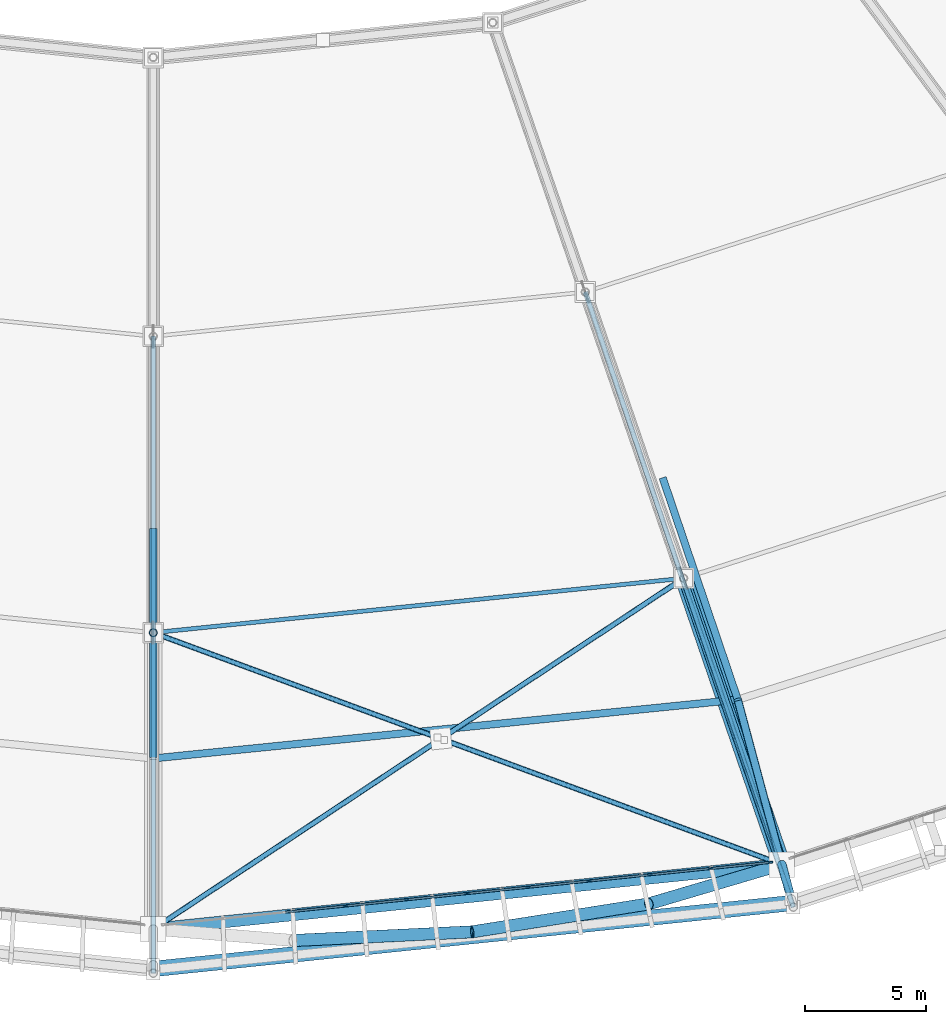
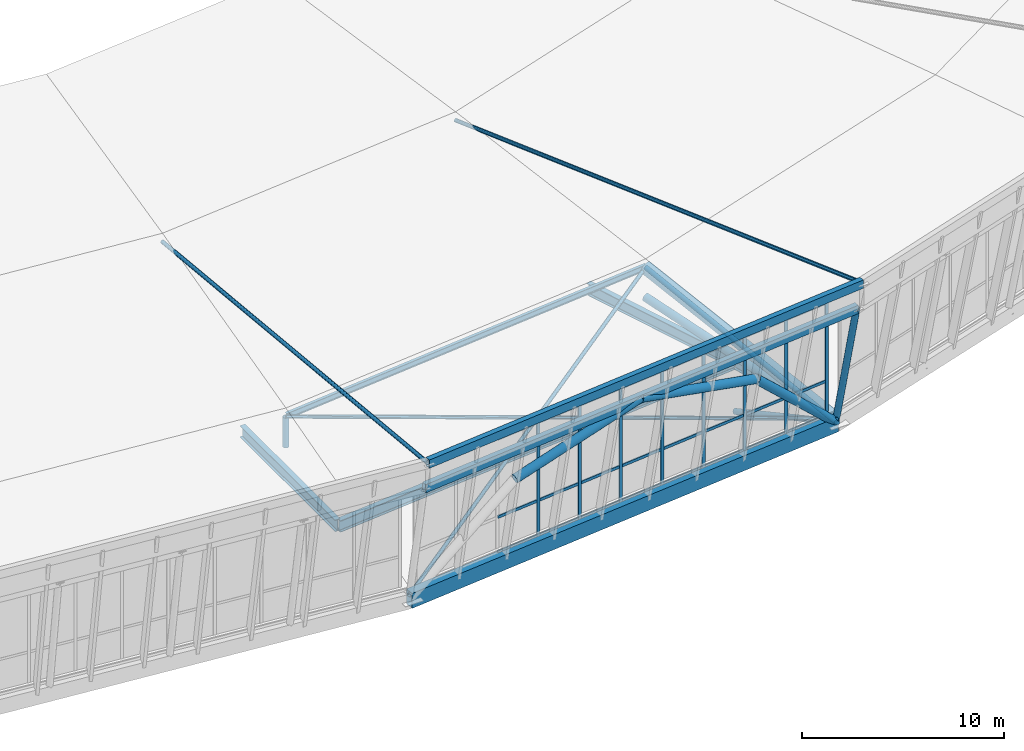
# One storey, part 17 of 115: 47 members, 7 beams, 1 element without a shape of its own.
"""IFC4 building model written with IfcOpenShell, lengths in metres."""

from ifc_helpers import new_model, si_unit, direction, frame, origin, origin_2d, place, context, subcontext, project, spatial, rectangle, hollow_rectangle, hollow_circle, i_section, extrude, material, material_profile, profile_set, type_object, element, aggregate, save


model = new_model("IFC4")

# Units and contexts
model_context = context("Model", 3, precision=1e-05, world=origin(), true_north=direction((0.0, 1.0)))
body_context = subcontext(model_context, "Body", "Model", "MODEL_VIEW")
ifc_project = project(units=[si_unit("LENGTHUNIT", "METRE"), si_unit("AREAUNIT", "SQUARE_METRE"), si_unit("VOLUMEUNIT", "CUBIC_METRE"), si_unit("PLANEANGLEUNIT", "RADIAN"), si_unit("MASSUNIT", "GRAM", prefix="KILO")], contexts=[model_context])

# Site, building, storey
site_placement = place(None, origin())
site = spatial("IfcSite", under=ifc_project, at=site_placement, CompositionType="ELEMENT")
building_placement = place(site_placement, origin())
building = spatial("IfcBuilding", under=site, at=building_placement, Name="Zlatoyarsky Gate Stadium", CompositionType="ELEMENT")
storey_placement = place(building_placement, frame((0.0, 0.0, 31.800048828125)))
storey = spatial("IfcBuildingStorey", under=building, at=storey_placement, Name="RF", CompositionType="ELEMENT", Elevation=31.800048828125)

# Curtain wall, members
ifc_material_1 = material(Name="Thermally broken anodised aluminium curtain wall", Category="aluminium")
curtain_wall_type = type_object("IfcCurtainWallType", Name="MONUMENTAL ARCHED GATE GLAZING UPPER", PredefinedType="USERDEFINED", material=ifc_material_1)
curtain_wall_placement = place(storey_placement, origin())
curtain_wall = element("IfcCurtainWall", 1, at=curtain_wall_placement, inside=storey, type_object=curtain_wall_type, Name="Curtain wall CW-RF-18", ObjectType="ARCHED GATE GLAZING", PredefinedType="USERDEFINED")
ifc_material_2 = material(Name="Anodised aluminium 6063-T6", Category="aluminium")
ifc_material_profile_1 = material_profile(ifc_material_2, rectangle(XDim=0.074951171875, YDim=0.18994140625, at=origin_2d()), Name="ALU 75X190")
ifc_profile_set_1 = profile_set([ifc_material_profile_1], Name="Anodised aluminium 6063-T6")
member_type_1 = type_object("IfcMemberType", Name="ALUMINIUM GATE MULLION 75X190", PredefinedType="MULLION", material=ifc_profile_set_1)
member_1_placement = place(storey_placement, frame((118.9150390625, 2.9248046875, 0.0), z_axis=(0.0, 0.0, 1.0), x_axis=(-0.102125168703, 0.994771556649, 0.0)))
member_1 = element("IfcMember", 2, at=member_1_placement, type_object=member_type_1, Name="CW-AG2 mullion 4", PredefinedType="MULLION", context=body_context, shape_type="SweptSolid", body=[
    extrude(rectangle(XDim=0.074951171875, YDim=0.18994140625, at=origin_2d()), origin(), (0.0, 0.0, 1.0), 6.89990234375),
])
member_2_placement = place(storey_placement, frame((121.420654296875, 3.18212890625, 0.0), z_axis=(0.0, 0.0, 1.0), x_axis=(-0.102125168703, 0.994771556649, 0.0)))
member_2 = element("IfcMember", 3, at=member_2_placement, type_object=member_type_1, Name="CW-AG2 mullion 5", PredefinedType="MULLION", context=body_context, shape_type="SweptSolid", body=[
    extrude(rectangle(XDim=0.074951171875, YDim=0.18994140625, at=origin_2d()), origin(), (0.0, 0.0, 1.0), 6.89990234375),
])
member_3_placement = place(storey_placement, frame((123.926513671875, 3.439453125, 0.0), z_axis=(0.0, 0.0, 1.0), x_axis=(-0.102125168703, 0.994771556649, 0.0)))
member_3 = element("IfcMember", 4, at=member_3_placement, type_object=member_type_1, Name="CW-AG2 mullion 6", PredefinedType="MULLION", context=body_context, shape_type="SweptSolid", body=[
    extrude(rectangle(XDim=0.074951171875, YDim=0.18994140625, at=origin_2d()), origin(), (0.0, 0.0, 1.0), 6.89990234375),
])
member_4_placement = place(storey_placement, frame((126.43212890625, 3.696533203125, 0.0), z_axis=(0.0, 0.0, 1.0), x_axis=(-0.102125168703, 0.994771556649, 0.0)))
member_4 = element("IfcMember", 5, at=member_4_placement, type_object=member_type_1, Name="CW-AG2 mullion 7", PredefinedType="MULLION", context=body_context, shape_type="SweptSolid", body=[
    extrude(rectangle(XDim=0.074951171875, YDim=0.18994140625, at=origin_2d()), origin(), (0.0, 0.0, 1.0), 6.89990234375),
])
member_5_placement = place(storey_placement, frame((128.937744140625, 3.953857421875, 0.0), z_axis=(0.0, 0.0, 1.0), x_axis=(-0.102125168703, 0.994771556649, 0.0)))
member_5 = element("IfcMember", 6, at=member_5_placement, type_object=member_type_1, Name="CW-AG2 mullion 8", PredefinedType="MULLION", context=body_context, shape_type="SweptSolid", body=[
    extrude(rectangle(XDim=0.074951171875, YDim=0.18994140625, at=origin_2d()), origin(), (0.0, 0.0, 1.0), 6.89990234375),
])
member_6_placement = place(storey_placement, frame((131.443603515625, 4.211181640625, 0.0), z_axis=(0.0, 0.0, 1.0), x_axis=(-0.102125168703, 0.994771556649, 0.0)))
member_6 = element("IfcMember", 7, at=member_6_placement, type_object=member_type_1, Name="CW-AG2 mullion 9", PredefinedType="MULLION", context=body_context, shape_type="SweptSolid", body=[
    extrude(rectangle(XDim=0.074951171875, YDim=0.18994140625, at=origin_2d()), origin(), (0.0, 0.0, 1.0), 6.89990234375),
])
member_7_placement = place(storey_placement, frame((133.94921875, 4.46826171875, 0.0), z_axis=(0.0, 0.0, 1.0), x_axis=(-0.102125168703, 0.994771556649, 0.0)))
member_7 = element("IfcMember", 8, at=member_7_placement, type_object=member_type_1, Name="CW-AG2 mullion 10", PredefinedType="MULLION", context=body_context, shape_type="SweptSolid", body=[
    extrude(rectangle(XDim=0.074951171875, YDim=0.18994140625, at=origin_2d()), origin(), (0.0, 0.0, 1.0), 6.89990234375),
])
member_8_placement = place(storey_placement, frame((136.41748046875, 4.7216796875, 0.0), z_axis=(0.0, 0.0, 1.0), x_axis=(-0.102125168703, 0.994771556649, 0.0)))
member_8 = element("IfcMember", 9, at=member_8_placement, type_object=member_type_1, Name="CW-AG2 mullion 11", PredefinedType="MULLION", context=body_context, shape_type="SweptSolid", body=[
    extrude(rectangle(XDim=0.074951171875, YDim=0.18994140625, at=origin_2d()), origin(), (0.0, 0.0, 1.0), 6.89990234375),
])
ifc_material_profile_2 = material_profile(ifc_material_2, rectangle(XDim=0.074951171875, YDim=0.169921875, at=origin_2d()), Name="ALU 75X170")
ifc_profile_set_2 = profile_set([ifc_material_profile_2], Name="Anodised aluminium 6063-T6")
member_type_2 = type_object("IfcMemberType", Name="ALUMINIUM GATE TRANSOM 75X170", PredefinedType="USERDEFINED", material=ifc_profile_set_2)
member_9_placement = place(storey_placement, frame((116.446533203125, 2.671630859375, 0.037353515625), z_axis=(0.994774676967, 0.10209477002, 0.0), x_axis=(-0.10209477002, 0.994774676967, 0.0)))
member_9 = element("IfcMember", 10, at=member_9_placement, type_object=member_type_2, Name="CW-AG2 transom 3.1", ObjectType="TRANSOM", PredefinedType="USERDEFINED", context=body_context, shape_type="SweptSolid", body=[
    extrude(rectangle(XDim=0.074951171875, YDim=0.169921875, at=origin_2d()), origin(), (0.0, 0.0, 1.0), 2.44384765625),
])
member_10_placement = place(storey_placement, frame((116.446533203125, 2.671630859375, 2.14990234375), z_axis=(0.994774676967, 0.10209477002, 0.0), x_axis=(-0.10209477002, 0.994774676967, 0.0)))
member_10 = element("IfcMember", 11, at=member_10_placement, type_object=member_type_2, Name="CW-AG2 transom 3.2", ObjectType="TRANSOM", PredefinedType="USERDEFINED", context=body_context, shape_type="SweptSolid", body=[
    extrude(rectangle(XDim=0.074951171875, YDim=0.169921875, at=origin_2d()), origin(), (0.0, 0.0, 1.0), 2.44384765625),
])
member_11_placement = place(storey_placement, frame((116.446533203125, 2.671630859375, 6.862548828125), z_axis=(0.994774676967, 0.10209477002, 0.0), x_axis=(-0.10209477002, 0.994774676967, 0.0)))
member_11 = element("IfcMember", 12, at=member_11_placement, type_object=member_type_2, Name="CW-AG2 transom 3.3", ObjectType="TRANSOM", PredefinedType="USERDEFINED", context=body_context, shape_type="SweptSolid", body=[
    extrude(rectangle(XDim=0.074951171875, YDim=0.169921875, at=origin_2d()), origin(), (0.0, 0.0, 1.0), 2.44384765625),
])
member_12_placement = place(storey_placement, frame((118.952392578125, 2.9287109375, 0.037353515625), z_axis=(0.994773635551, 0.102104916695, 0.0), x_axis=(-0.102104916695, 0.994773635551, 0.0)))
member_12 = element("IfcMember", 13, at=member_12_placement, type_object=member_type_2, Name="CW-AG2 transom 4.1", ObjectType="TRANSOM", PredefinedType="USERDEFINED", context=body_context, shape_type="SweptSolid", body=[
    extrude(rectangle(XDim=0.074951171875, YDim=0.169921875, at=origin_2d()), origin(), (0.0, 0.0, 1.0), 2.443603515625),
])
member_13_placement = place(storey_placement, frame((118.952392578125, 2.9287109375, 2.14990234375), z_axis=(0.994773635551, 0.102104916695, 0.0), x_axis=(-0.102104916695, 0.994773635551, 0.0)))
member_13 = element("IfcMember", 14, at=member_13_placement, type_object=member_type_2, Name="CW-AG2 transom 4.2", ObjectType="TRANSOM", PredefinedType="USERDEFINED", context=body_context, shape_type="SweptSolid", body=[
    extrude(rectangle(XDim=0.074951171875, YDim=0.169921875, at=origin_2d()), origin(), (0.0, 0.0, 1.0), 2.443603515625),
])
member_14_placement = place(storey_placement, frame((118.952392578125, 2.9287109375, 6.862548828125), z_axis=(0.994773635551, 0.102104916695, 0.0), x_axis=(-0.102104916695, 0.994773635551, 0.0)))
member_14 = element("IfcMember", 15, at=member_14_placement, type_object=member_type_2, Name="CW-AG2 transom 4.3", ObjectType="TRANSOM", PredefinedType="USERDEFINED", context=body_context, shape_type="SweptSolid", body=[
    extrude(rectangle(XDim=0.074951171875, YDim=0.169921875, at=origin_2d()), origin(), (0.0, 0.0, 1.0), 2.443603515625),
])
member_15_placement = place(storey_placement, frame((121.4580078125, 3.18603515625, 0.037353515625), z_axis=(0.994774676967, 0.10209477002, 0.0), x_axis=(-0.10209477002, 0.994774676967, 0.0)))
member_15 = element("IfcMember", 16, at=member_15_placement, type_object=member_type_2, Name="CW-AG2 transom 5.1", ObjectType="TRANSOM", PredefinedType="USERDEFINED", context=body_context, shape_type="SweptSolid", body=[
    extrude(rectangle(XDim=0.074951171875, YDim=0.169921875, at=origin_2d()), origin(), (0.0, 0.0, 1.0), 2.44384765625),
])
member_16_placement = place(storey_placement, frame((121.4580078125, 3.18603515625, 2.14990234375), z_axis=(0.994774676967, 0.10209477002, 0.0), x_axis=(-0.10209477002, 0.994774676967, 0.0)))
member_16 = element("IfcMember", 17, at=member_16_placement, type_object=member_type_2, Name="CW-AG2 transom 5.2", ObjectType="TRANSOM", PredefinedType="USERDEFINED", context=body_context, shape_type="SweptSolid", body=[
    extrude(rectangle(XDim=0.074951171875, YDim=0.169921875, at=origin_2d()), origin(), (0.0, 0.0, 1.0), 2.44384765625),
])
member_17_placement = place(storey_placement, frame((121.4580078125, 3.18603515625, 6.862548828125), z_axis=(0.994774676967, 0.10209477002, 0.0), x_axis=(-0.10209477002, 0.994774676967, 0.0)))
member_17 = element("IfcMember", 18, at=member_17_placement, type_object=member_type_2, Name="CW-AG2 transom 5.3", ObjectType="TRANSOM", PredefinedType="USERDEFINED", context=body_context, shape_type="SweptSolid", body=[
    extrude(rectangle(XDim=0.074951171875, YDim=0.169921875, at=origin_2d()), origin(), (0.0, 0.0, 1.0), 2.44384765625),
])
member_18_placement = place(storey_placement, frame((123.963623046875, 3.443115234375, 0.037353515625), z_axis=(0.994764526487, 0.102193624282, 0.0), x_axis=(-0.102193624282, 0.994764526487, 0.0)))
member_18 = element("IfcMember", 19, at=member_18_placement, type_object=member_type_2, Name="CW-AG2 transom 6.1", ObjectType="TRANSOM", PredefinedType="USERDEFINED", context=body_context, shape_type="SweptSolid", body=[
    extrude(rectangle(XDim=0.074951171875, YDim=0.169921875, at=origin_2d()), origin(), (0.0, 0.0, 1.0), 2.44384765625),
])
member_19_placement = place(storey_placement, frame((123.963623046875, 3.443115234375, 2.14990234375), z_axis=(0.994764526487, 0.102193624282, 0.0), x_axis=(-0.102193624282, 0.994764526487, 0.0)))
member_19 = element("IfcMember", 20, at=member_19_placement, type_object=member_type_2, Name="CW-AG2 transom 6.2", ObjectType="TRANSOM", PredefinedType="USERDEFINED", context=body_context, shape_type="SweptSolid", body=[
    extrude(rectangle(XDim=0.074951171875, YDim=0.169921875, at=origin_2d()), origin(), (0.0, 0.0, 1.0), 2.44384765625),
])
member_20_placement = place(storey_placement, frame((123.963623046875, 3.443115234375, 6.862548828125), z_axis=(0.994764526487, 0.102193624282, 0.0), x_axis=(-0.102193624282, 0.994764526487, 0.0)))
member_20 = element("IfcMember", 21, at=member_20_placement, type_object=member_type_2, Name="CW-AG2 transom 6.3", ObjectType="TRANSOM", PredefinedType="USERDEFINED", context=body_context, shape_type="SweptSolid", body=[
    extrude(rectangle(XDim=0.074951171875, YDim=0.169921875, at=origin_2d()), origin(), (0.0, 0.0, 1.0), 2.44384765625),
])
member_21_placement = place(storey_placement, frame((126.469482421875, 3.700439453125, 0.037353515625), z_axis=(0.994773635551, 0.102104916695, 0.0), x_axis=(-0.102104916695, 0.994773635551, 0.0)))
member_21 = element("IfcMember", 22, at=member_21_placement, type_object=member_type_2, Name="CW-AG2 transom 7.1", ObjectType="TRANSOM", PredefinedType="USERDEFINED", context=body_context, shape_type="SweptSolid", body=[
    extrude(rectangle(XDim=0.074951171875, YDim=0.169921875, at=origin_2d()), origin(), (0.0, 0.0, 1.0), 2.443603515625),
])
member_22_placement = place(storey_placement, frame((126.469482421875, 3.700439453125, 2.14990234375), z_axis=(0.994773635551, 0.102104916695, 0.0), x_axis=(-0.102104916695, 0.994773635551, 0.0)))
member_22 = element("IfcMember", 23, at=member_22_placement, type_object=member_type_2, Name="CW-AG2 transom 7.2", ObjectType="TRANSOM", PredefinedType="USERDEFINED", context=body_context, shape_type="SweptSolid", body=[
    extrude(rectangle(XDim=0.074951171875, YDim=0.169921875, at=origin_2d()), origin(), (0.0, 0.0, 1.0), 2.443603515625),
])
member_23_placement = place(storey_placement, frame((126.469482421875, 3.700439453125, 6.862548828125), z_axis=(0.994773635551, 0.102104916695, 0.0), x_axis=(-0.102104916695, 0.994773635551, 0.0)))
member_23 = element("IfcMember", 24, at=member_23_placement, type_object=member_type_2, Name="CW-AG2 transom 7.3", ObjectType="TRANSOM", PredefinedType="USERDEFINED", context=body_context, shape_type="SweptSolid", body=[
    extrude(rectangle(XDim=0.074951171875, YDim=0.169921875, at=origin_2d()), origin(), (0.0, 0.0, 1.0), 2.443603515625),
])
member_24_placement = place(storey_placement, frame((128.97509765625, 3.957763671875, 0.037353515625), z_axis=(0.994774676967, 0.10209477002, 0.0), x_axis=(-0.10209477002, 0.994774676967, 0.0)))
member_24 = element("IfcMember", 25, at=member_24_placement, type_object=member_type_2, Name="CW-AG2 transom 8.1", ObjectType="TRANSOM", PredefinedType="USERDEFINED", context=body_context, shape_type="SweptSolid", body=[
    extrude(rectangle(XDim=0.074951171875, YDim=0.169921875, at=origin_2d()), origin(), (0.0, 0.0, 1.0), 2.44384765625),
])
member_25_placement = place(storey_placement, frame((128.97509765625, 3.957763671875, 2.14990234375), z_axis=(0.994774676967, 0.10209477002, 0.0), x_axis=(-0.10209477002, 0.994774676967, 0.0)))
member_25 = element("IfcMember", 26, at=member_25_placement, type_object=member_type_2, Name="CW-AG2 transom 8.2", ObjectType="TRANSOM", PredefinedType="USERDEFINED", context=body_context, shape_type="SweptSolid", body=[
    extrude(rectangle(XDim=0.074951171875, YDim=0.169921875, at=origin_2d()), origin(), (0.0, 0.0, 1.0), 2.44384765625),
])
member_26_placement = place(storey_placement, frame((128.97509765625, 3.957763671875, 6.862548828125), z_axis=(0.994774676967, 0.10209477002, 0.0), x_axis=(-0.10209477002, 0.994774676967, 0.0)))
member_26 = element("IfcMember", 27, at=member_26_placement, type_object=member_type_2, Name="CW-AG2 transom 8.3", ObjectType="TRANSOM", PredefinedType="USERDEFINED", context=body_context, shape_type="SweptSolid", body=[
    extrude(rectangle(XDim=0.074951171875, YDim=0.169921875, at=origin_2d()), origin(), (0.0, 0.0, 1.0), 2.44384765625),
])
member_27_placement = place(storey_placement, frame((131.480712890625, 4.21484375, 0.037353515625), z_axis=(0.994764526487, 0.102193624282, 0.0), x_axis=(-0.102193624282, 0.994764526487, 0.0)))
member_27 = element("IfcMember", 28, at=member_27_placement, type_object=member_type_2, Name="CW-AG2 transom 9.1", ObjectType="TRANSOM", PredefinedType="USERDEFINED", context=body_context, shape_type="SweptSolid", body=[
    extrude(rectangle(XDim=0.074951171875, YDim=0.169921875, at=origin_2d()), origin(), (0.0, 0.0, 1.0), 2.44384765625),
])
member_28_placement = place(storey_placement, frame((131.480712890625, 4.21484375, 2.14990234375), z_axis=(0.994764526487, 0.102193624282, 0.0), x_axis=(-0.102193624282, 0.994764526487, 0.0)))
member_28 = element("IfcMember", 29, at=member_28_placement, type_object=member_type_2, Name="CW-AG2 transom 9.2", ObjectType="TRANSOM", PredefinedType="USERDEFINED", context=body_context, shape_type="SweptSolid", body=[
    extrude(rectangle(XDim=0.074951171875, YDim=0.169921875, at=origin_2d()), origin(), (0.0, 0.0, 1.0), 2.44384765625),
])
member_29_placement = place(storey_placement, frame((131.480712890625, 4.21484375, 6.862548828125), z_axis=(0.994764526487, 0.102193624282, 0.0), x_axis=(-0.102193624282, 0.994764526487, 0.0)))
member_29 = element("IfcMember", 30, at=member_29_placement, type_object=member_type_2, Name="CW-AG2 transom 9.3", ObjectType="TRANSOM", PredefinedType="USERDEFINED", context=body_context, shape_type="SweptSolid", body=[
    extrude(rectangle(XDim=0.074951171875, YDim=0.169921875, at=origin_2d()), origin(), (0.0, 0.0, 1.0), 2.44384765625),
])
member_30_placement = place(storey_placement, frame((133.986572265625, 4.47216796875, 0.037353515625), z_axis=(0.994767435445, 0.102165304181, 0.0), x_axis=(-0.102165304181, 0.994767435445, 0.0)))
member_30 = element("IfcMember", 31, at=member_30_placement, type_object=member_type_2, Name="CW-AG2 transom 10.1", ObjectType="TRANSOM", PredefinedType="USERDEFINED", context=body_context, shape_type="SweptSolid", body=[
    extrude(rectangle(XDim=0.074951171875, YDim=0.169921875, at=origin_2d()), origin(), (0.0, 0.0, 1.0), 2.406494140625),
])
member_31_placement = place(storey_placement, frame((133.986572265625, 4.47216796875, 2.14990234375), z_axis=(0.994767435445, 0.102165304181, 0.0), x_axis=(-0.102165304181, 0.994767435445, 0.0)))
member_31 = element("IfcMember", 32, at=member_31_placement, type_object=member_type_2, Name="CW-AG2 transom 10.2", ObjectType="TRANSOM", PredefinedType="USERDEFINED", context=body_context, shape_type="SweptSolid", body=[
    extrude(rectangle(XDim=0.074951171875, YDim=0.169921875, at=origin_2d()), origin(), (0.0, 0.0, 1.0), 2.406494140625),
])
member_32_placement = place(storey_placement, frame((133.986572265625, 4.47216796875, 6.862548828125), z_axis=(0.994767435445, 0.102165304181, 0.0), x_axis=(-0.102165304181, 0.994767435445, 0.0)))
member_32 = element("IfcMember", 33, at=member_32_placement, type_object=member_type_2, Name="CW-AG2 transom 10.3", ObjectType="TRANSOM", PredefinedType="USERDEFINED", context=body_context, shape_type="SweptSolid", body=[
    extrude(rectangle(XDim=0.074951171875, YDim=0.169921875, at=origin_2d()), origin(), (0.0, 0.0, 1.0), 2.406494140625),
])
aggregate(curtain_wall, [member_1, member_2, member_3, member_4, member_5, member_6, member_7, member_8, member_9, member_10, member_11, member_12, member_13, member_14, member_15, member_16, member_17, member_18, member_19, member_20, member_21, member_22, member_23, member_24, member_25, member_26, member_27, member_28, member_29, member_30, member_31, member_32])

# Members
ifc_material_3 = material(Name="Steel S355", Category="steel")
ifc_material_profile_3 = material_profile(ifc_material_3, hollow_circle(Radius=0.228515625, WallThickness=0.02490234375, at=origin_2d()), Name="CHS 457X25")
ifc_profile_set_3 = profile_set([ifc_material_profile_3], Name="Steel S355")
member_type_3 = type_object("IfcMemberType", Name="STEEL ARCH BOTTOM CHORD CHS 457X25", PredefinedType="CHORD", material=ifc_profile_set_3)
member_33_placement = place(storey_placement, frame((136.88916015625, 4.631103515625, -0.449951171875), z_axis=(-0.321535505122, 0.936049276956, 0.142921901945), x_axis=(-0.945758462386, -0.324870637063, 0.0)))
element("IfcMember", 34, at=member_33_placement, inside=storey, type_object=member_type_3, Name="Radial truss R20 bottom chord 1", PredefinedType="CHORD", context=body_context, shape_type="SweptSolid", body=[
    extrude(hollow_circle(Radius=0.228515625, WallThickness=0.02490234375, at=origin_2d()), origin(), (0.0, 0.0, 1.0), 12.593017578125),
])
ifc_material_profile_4 = material_profile(ifc_material_3, hollow_circle(Radius=0.25390625, WallThickness=0.02490234375, at=origin_2d()), Name="CHS 508X25")
ifc_profile_set_4 = profile_set([ifc_material_profile_4], Name="Steel S355")
member_type_4 = type_object("IfcMemberType", Name="STEEL ARCH TOP CHORD CHS 508X25", PredefinedType="CHORD", material=ifc_profile_set_4)
member_34_placement = place(storey_placement, frame((116.756103515625, 1.503173828125, 5.050048828125), z_axis=(0.960775747439, 0.046318915493, 0.273431017263), x_axis=(-0.048153986141, 0.998839923921, 0.0)))
element("IfcMember", 35, at=member_34_placement, inside=storey, type_object=member_type_4, Name="Monumental gate portal arch chord 18-2", PredefinedType="CHORD", context=body_context, shape_type="SweptSolid", body=[
    extrude(hollow_circle(Radius=0.25390625, WallThickness=0.02490234375, at=origin_2d()), origin(), (0.0, 0.0, 1.0), 7.6796875),
])
member_35_placement = place(storey_placement, frame((124.134521484375, 1.85888671875, 7.14990234375), z_axis=(0.949803462752, 0.150606590965, -0.274209841002), x_axis=(-0.156609449553, 0.987660609881, 0.0)))
element("IfcMember", 36, at=member_35_placement, inside=storey, type_object=member_type_4, Name="Monumental gate portal arch chord 18-3", PredefinedType="CHORD", context=body_context, shape_type="SweptSolid", body=[
    extrude(hollow_circle(Radius=0.25390625, WallThickness=0.02490234375, at=origin_2d()), origin(), (0.0, 0.0, 1.0), 7.65771484375),
])
member_36_placement = place(storey_placement, frame((131.407958984375, 3.01220703125, 5.050048828125), z_axis=(0.69102002414, 0.204104845437, -0.693420895493), x_axis=(-0.283269347472, 0.959040393718, 0.0)))
element("IfcMember", 37, at=member_36_placement, inside=storey, type_object=member_type_4, Name="Monumental gate portal arch chord 18-4", PredefinedType="CHORD", context=body_context, shape_type="SweptSolid", body=[
    extrude(hollow_circle(Radius=0.25390625, WallThickness=0.02490234375, at=origin_2d()), origin(), (0.0, 0.0, 1.0), 7.931640625),
])
ifc_material_profile_5 = material_profile(ifc_material_3, hollow_circle(Radius=0.35546875, WallThickness=0.031982421875, at=origin_2d()), Name="CHS 711X32")
ifc_profile_set_5 = profile_set([ifc_material_profile_5], Name="Steel S355")
member_type_5 = type_object("IfcMemberType", Name="STEEL ARCH TOP CHORD CHS 711X32", PredefinedType="CHORD", material=ifc_profile_set_5)
member_37_placement = place(storey_placement, frame((136.88916015625, 4.631103515625, -0.25), z_axis=(-0.313418799515, 0.912420046921, 0.263169743868), x_axis=(-0.945758462386, -0.324870637063, 0.0)))
element("IfcMember", 38, at=member_37_placement, inside=storey, type_object=member_type_5, Name="Radial truss R20 top chord 1", PredefinedType="CHORD", context=body_context, shape_type="SweptSolid", body=[
    extrude(hollow_circle(Radius=0.35546875, WallThickness=0.031982421875, at=origin_2d()), origin(), (0.0, 0.0, 1.0), 12.9189453125),
])
ifc_material_profile_6 = material_profile(ifc_material_3, hollow_circle(Radius=0.109619140625, WallThickness=0.012451171875, at=origin_2d()), Name="CHS 219.1X12.5")
ifc_profile_set_6 = profile_set([ifc_material_profile_6], Name="Steel S355")
member_type_6 = type_object("IfcMemberType", Name="STEEL CANOPY WIND BRACE CHS 219.1X12.5", PredefinedType="BRACE", material=ifc_profile_set_6)
member_38_placement = place(storey_placement, frame((111.0, 0.15576171875, 8.849853515625), z_axis=(0.0, 0.995306120518, -0.09677668345), x_axis=(-1.0, 0.0, 0.0)))
element("IfcMember", 39, at=member_38_placement, inside=storey, type_object=member_type_6, Name="Crown fascia tie brace 18", PredefinedType="BRACE", context=body_context, shape_type="SweptSolid", body=[
    extrude(hollow_circle(Radius=0.109619140625, WallThickness=0.012451171875, at=origin_2d()), origin(), (0.0, 0.0, 1.0), 26.347412109375),
])
member_39_placement = place(storey_placement, frame((111.0, 1.972412109375, -0.25), z_axis=(0.827107531784, 0.547096447128, 0.12875794502), x_axis=(-0.551688675115, 0.834050121845, 0.0)))
element("IfcMember", 40, at=member_39_placement, inside=storey, type_object=member_type_6, Name="Roof wind X-brace continuous diagonal 18", PredefinedType="BRACE", context=body_context, shape_type="SweptSolid", body=[
    extrude(hollow_circle(Radius=0.109619140625, WallThickness=0.012451171875, at=origin_2d()), origin(), (0.0, 0.0, 1.0), 26.4052734375),
])
member_40_placement = place(storey_placement, frame((136.88916015625, 4.631103515625, -0.25), z_axis=(-0.931218854423, 0.343329319545, 0.12229645746), x_axis=(-0.345925972962, -0.938261808468, 0.0)))
element("IfcMember", 41, at=member_40_placement, inside=storey, type_object=member_type_6, Name="Roof wind X-brace split half-diagonal 18A", PredefinedType="BRACE", context=body_context, shape_type="SweptSolid", body=[
    extrude(hollow_circle(Radius=0.109619140625, WallThickness=0.012451171875, at=origin_2d()), origin(), (0.0, 0.0, 1.0), 14.932373046875),
])
member_41_placement = place(storey_placement, frame((122.708984375, 9.85888671875, 1.612060546875), z_axis=(-0.931213423385, 0.343341262838, 0.122304281774), x_axis=(-0.345938342644, -0.938257247821, 0.0)))
element("IfcMember", 42, at=member_41_placement, inside=storey, type_object=member_type_6, Name="Roof wind X-brace split half-diagonal 18B", PredefinedType="BRACE", context=body_context, shape_type="SweptSolid", body=[
    extrude(hollow_circle(Radius=0.109619140625, WallThickness=0.012451171875, at=origin_2d()), origin(), (0.0, 0.0, 1.0), 12.573974609375),
])
member_42_placement = place(storey_placement, frame((137.359130859375, 2.87646484375, 8.849853515625), z_axis=(-0.318976741373, 0.942996861973, -0.094925006038), x_axis=(-0.947274349004, -0.320423637889, 0.0)))
element("IfcMember", 43, at=member_42_placement, inside=storey, type_object=member_type_6, Name="Crown fascia tie brace 19", PredefinedType="BRACE", context=body_context, shape_type="SweptSolid", body=[
    extrude(hollow_circle(Radius=0.109619140625, WallThickness=0.012451171875, at=origin_2d()), origin(), (0.0, 0.0, 1.0), 26.861328125),
])
ifc_material_profile_7 = material_profile(ifc_material_3, hollow_circle(Radius=0.177734375, WallThickness=0.02001953125, at=origin_2d()), Name="CHS 355.6X20")
ifc_profile_set_7 = profile_set([ifc_material_profile_7], Name="Steel S355")
member_type_7 = type_object("IfcMemberType", Name="STEEL LEANING RIB RING STRUT CHS 355.6X20", PredefinedType="STRUT", material=ifc_profile_set_7)
member_43_placement = place(storey_placement, frame((136.88916015625, 4.631103515625, -0.449951171875), z_axis=(0.049047187534, -0.183162069458, 0.981858457063), x_axis=(0.965966608807, 0.258666794678, 0.0)))
element("IfcMember", 44, at=member_43_placement, inside=storey, type_object=member_type_7, Name="Outward-leaning crown fascia lower post 19", PredefinedType="STRUT", context=body_context, shape_type="SweptSolid", body=[
    extrude(hollow_circle(Radius=0.177734375, WallThickness=0.02001953125, at=origin_2d()), origin(), (0.0, 0.0, 1.0), 7.740234375),
])
ifc_material_profile_8 = material_profile(ifc_material_3, i_section(OverallWidth=0.169921875, OverallDepth=0.360107421875, WebThickness=0.008056640625, FlangeThickness=0.0126953125, FilletRadius=0.01806640625, at=origin_2d()), Name="IPE 360")
ifc_profile_set_8 = profile_set([ifc_material_profile_8], Name="Steel S355")
member_type_8 = type_object("IfcMemberType", Name="STEEL LONG SPAN PURLIN IPE 360", PredefinedType="PURLIN", material=ifc_profile_set_8)
member_44_placement = place(storey_placement, frame((111.0, 14.176025390625, 3.179931640625), z_axis=(0.994769103035, 0.102149065814, 0.0), x_axis=(-0.102149065814, 0.994769103035, 0.0)))
element("IfcMember", 45, at=member_44_placement, inside=storey, type_object=member_type_8, Name="Stadium roof purlin 18.1", PredefinedType="PURLIN", context=body_context, shape_type="SweptSolid", body=[
    extrude(i_section(OverallWidth=0.169921875, OverallDepth=0.360107421875, WebThickness=0.008056640625, FlangeThickness=0.0126953125, FilletRadius=0.01806640625, at=origin_2d()), origin(), (0.0, 0.0, 1.0), 21.954833984375),
])

# Beams
ifc_material_profile_9 = material_profile(ifc_material_3, hollow_rectangle(XDim=0.300048828125, YDim=0.5, WallThickness=0.02001953125, at=origin_2d()), Name="RHS 500X300X20")
ifc_profile_set_9 = profile_set([ifc_material_profile_9], Name="Steel S355")
beam_type_1 = type_object("IfcBeamType", Name="STEEL LOUVRE CARRIER SPANDREL RHS 500X300X20", PredefinedType="SPANDREL", material=ifc_profile_set_9)
beam_1_placement = place(storey_placement, frame((111.0, 0.504638671875, 7.14990234375), z_axis=(0.994725543927, 0.102572375716, 0.0), x_axis=(-0.102572375716, 0.994725543927, 0.0)))
element("IfcBeam", 46, at=beam_1_placement, inside=storey, type_object=beam_type_1, Name="Crown eaves fascia bottom carrier spandrel 18", PredefinedType="SPANDREL", context=body_context, shape_type="SweptSolid", body=[
    extrude(hollow_rectangle(XDim=0.300048828125, YDim=0.5, WallThickness=0.02001953125, at=origin_2d()), origin(), (0.0, 0.0, 1.0), 26.408203125),
])
beam_2_placement = place(storey_placement, frame((111.0, 0.15576171875, 8.849853515625), z_axis=(0.994715342527, 0.102671258599, 0.0), x_axis=(-0.102671258599, 0.994715342527, 0.0)))
element("IfcBeam", 47, at=beam_2_placement, inside=storey, type_object=beam_type_1, Name="Crown fascia top carrier spandrel 18", PredefinedType="SPANDREL", context=body_context, shape_type="SweptSolid", body=[
    extrude(hollow_rectangle(XDim=0.300048828125, YDim=0.5, WallThickness=0.02001953125, at=origin_2d()), origin(), (0.0, 0.0, 1.0), 26.499267578125),
])
ifc_material_profile_10 = material_profile(ifc_material_3, hollow_rectangle(XDim=0.5, YDim=0.89990234375, WallThickness=0.028076171875, at=origin_2d()), Name="RHS 900X500X28")
ifc_profile_set_10 = profile_set([ifc_material_profile_10], Name="Steel S355")
beam_type_2 = type_object("IfcBeamType", Name="STEEL OUTER COMPRESSION RING BEAM RHS 900X500X28", PredefinedType="USERDEFINED", material=ifc_profile_set_10)
beam_3_placement = place(storey_placement, frame((111.0, 1.972412109375, -0.449951171875), z_axis=(0.994768198126, 0.102157877799, 0.0), x_axis=(-0.102157877799, 0.994768198126, 0.0)))
element("IfcBeam", 48, at=beam_3_placement, inside=storey, type_object=beam_type_2, Name="Outer compression ring beam 18", ObjectType="RING BEAM", PredefinedType="USERDEFINED", context=body_context, shape_type="SweptSolid", body=[
    extrude(hollow_rectangle(XDim=0.5, YDim=0.89990234375, WallThickness=0.028076171875, at=origin_2d()), origin(), (0.0, 0.0, 1.0), 26.025390625),
])
ifc_material_profile_11 = material_profile(ifc_material_3, i_section(OverallWidth=0.300048828125, OverallDepth=0.699951171875, WebThickness=0.01708984375, FlangeThickness=0.031982421875, FilletRadius=0.027099609375, at=origin_2d()), Name="HEB 700")
ifc_profile_set_11 = profile_set([ifc_material_profile_11], Name="Steel S355")
beam_type_3 = type_object("IfcBeamType", Name="STEEL ROOF RING GIRDER HEB 700", PredefinedType="BEAM", material=ifc_profile_set_11)
beam_4_placement = place(storey_placement, frame((111.0, 18.4599609375, -0.300048828125), z_axis=(0.0, -1.0, 0.0), x_axis=(1.0, 0.0, 0.0)))
element("IfcBeam", 49, at=beam_4_placement, inside=storey, type_object=beam_type_3, Name="RF roof tie girder BM-RF-RBC-18", PredefinedType="BEAM", context=body_context, shape_type="SweptSolid", body=[
    extrude(i_section(OverallWidth=0.300048828125, OverallDepth=0.699951171875, WebThickness=0.01708984375, FlangeThickness=0.031982421875, FilletRadius=0.027099609375, at=origin_2d()), origin(), (0.0, 0.0, 1.0), 9.419921875),
])
beam_5_placement = place(storey_placement, frame((111.039794921875, 9.00390625, -0.300048828125), z_axis=(0.994986534974, 0.100008975698, 0.0), x_axis=(-0.100008975698, 0.994986534974, 0.0)))
element("IfcBeam", 50, at=beam_5_placement, inside=storey, type_object=beam_type_3, Name="RF roof tie girder BM-RF-CRC-18", PredefinedType="BEAM", context=body_context, shape_type="SweptSolid", body=[
    extrude(i_section(OverallWidth=0.300048828125, OverallDepth=0.699951171875, WebThickness=0.01708984375, FlangeThickness=0.031982421875, FilletRadius=0.027099609375, at=origin_2d()), origin(), (0.0, 0.0, 1.0), 24.111572265625),
])
beam_6_placement = place(storey_placement, frame((131.97705078125, 20.5576171875, -0.300048828125), z_axis=(0.320615466182, -0.947209439799, 0.0), x_axis=(0.947209439799, 0.320615466182, 0.0)))
element("IfcBeam", 51, at=beam_6_placement, inside=storey, type_object=beam_type_3, Name="RF roof tie girder BM-RF-RBC-19", PredefinedType="BEAM", context=body_context, shape_type="SweptSolid", body=[
    extrude(i_section(OverallWidth=0.300048828125, OverallDepth=0.699951171875, WebThickness=0.01708984375, FlangeThickness=0.031982421875, FilletRadius=0.027099609375, at=origin_2d()), origin(), (0.0, 0.0, 1.0), 9.607421875),
])
beam_7_placement = place(storey_placement, frame((135.08056640625, 11.380615234375, -0.300048828125), z_axis=(0.258795463889, -0.965932144548, 0.0), x_axis=(0.965932144548, 0.258795463889, 0.0)))
element("IfcBeam", 52, at=beam_7_placement, inside=storey, type_object=beam_type_3, Name="RF roof tie girder BM-RF-COUT-19", PredefinedType="BEAM", context=body_context, shape_type="SweptSolid", body=[
    extrude(i_section(OverallWidth=0.300048828125, OverallDepth=0.699951171875, WebThickness=0.01708984375, FlangeThickness=0.031982421875, FilletRadius=0.027099609375, at=origin_2d()), origin(), (0.0, 0.0, 1.0), 6.987548828125),
])

# Members
ifc_material_profile_12 = material_profile(ifc_material_3, hollow_circle(Radius=0.136474609375, WallThickness=0.01611328125, at=origin_2d()), Name="CHS 273X16")
ifc_profile_set_12 = profile_set([ifc_material_profile_12], Name="Steel S355")
member_type_9 = type_object("IfcMemberType", Name="STEEL ROOF TRUSS DIAGONAL CHS 273X16", PredefinedType="BRACE", material=ifc_profile_set_12)
member_45_placement = place(storey_placement, frame((136.88916015625, 4.631103515625, -0.449951171875), z_axis=(-0.312112869428, 0.908618243095, 0.277485936673), x_axis=(-0.945758462386, -0.324870637063, 0.0)))
element("IfcMember", 53, at=member_45_placement, inside=storey, type_object=member_type_9, Name="Radial truss R20 web diagonal 1", PredefinedType="BRACE", context=body_context, shape_type="SweptSolid", body=[
    extrude(hollow_circle(Radius=0.136474609375, WallThickness=0.01611328125, at=origin_2d()), origin(), (0.0, 0.0, 1.0), 12.97314453125),
])
ifc_material_profile_13 = material_profile(ifc_material_3, hollow_circle(Radius=0.161865234375, WallThickness=0.01611328125, at=origin_2d()), Name="CHS 323.9X16")
ifc_profile_set_13 = profile_set([ifc_material_profile_13], Name="Steel S355")
member_type_10 = type_object("IfcMemberType", Name="STEEL TRUSS WEB STRUT CHS 323.9X16", PredefinedType="STRUT", material=ifc_profile_set_13)
member_46_placement = place(storey_placement, frame((111.0, 14.176025390625, 1.349853515625), z_axis=(0.0, 0.0, 1.0), x_axis=(1.0, 0.0, 0.0)))
element("IfcMember", 54, at=member_46_placement, inside=storey, type_object=member_type_10, Name="Radial truss R19 web strut 1", PredefinedType="STRUT", context=body_context, shape_type="SweptSolid", body=[
    extrude(hollow_circle(Radius=0.161865234375, WallThickness=0.01611328125, at=origin_2d()), origin(), (0.0, 0.0, 1.0), 1.800048828125),
])
member_47_placement = place(storey_placement, frame((135.0703125, 11.419189453125, -3.300048828125), z_axis=(0.239842975893, -0.895113302245, 0.375829114171), x_axis=(0.965926341718, 0.258817121486, 0.0)))
element("IfcMember", 55, at=member_47_placement, inside=storey, type_object=member_type_10, Name="Arch heel prop 19", PredefinedType="STRUT", context=body_context, shape_type="SweptSolid", body=[
    extrude(hollow_circle(Radius=0.161865234375, WallThickness=0.01611328125, at=origin_2d()), origin(), (0.0, 0.0, 1.0), 7.58349609375),
])

save(model, "model.ifc")
